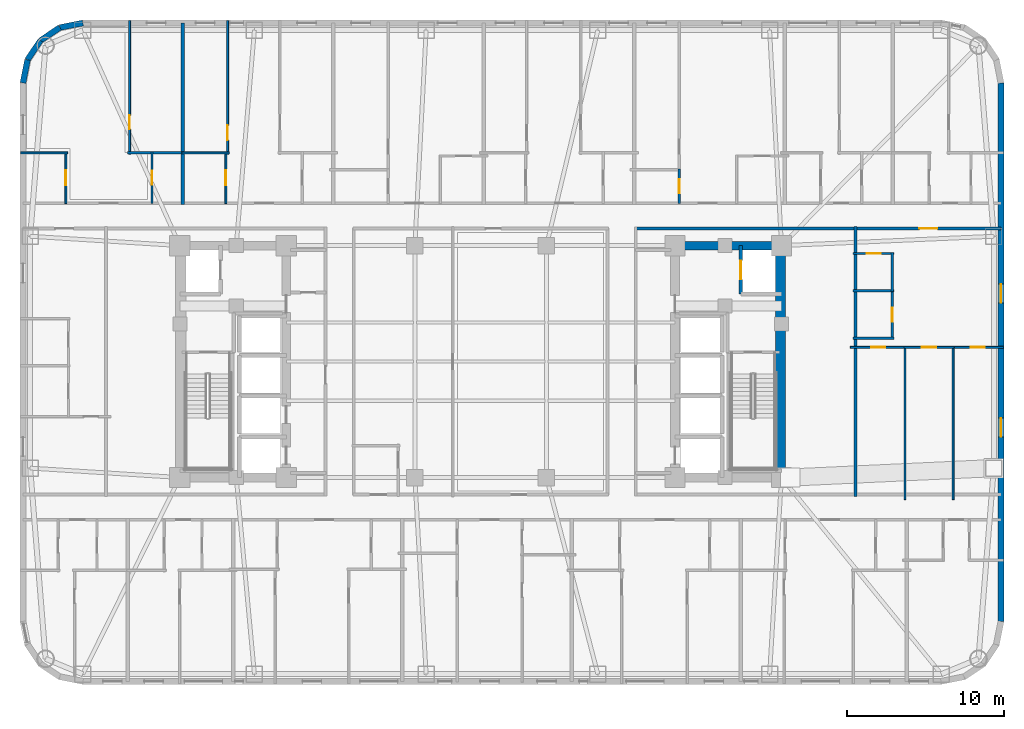
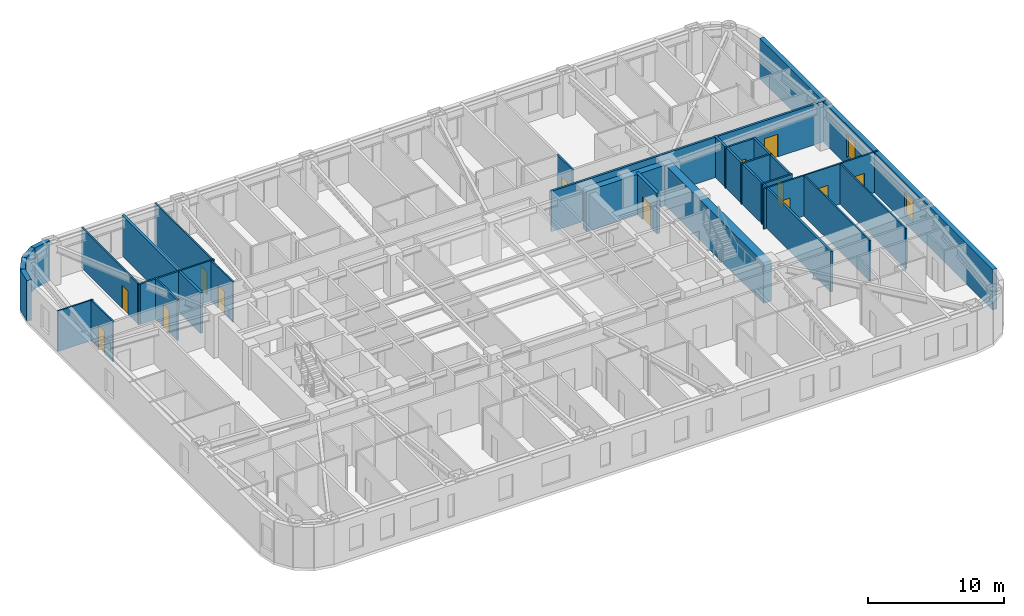
# One storey, part 7 of 12: 30 walls, 13 doors, 2 windows, 15 openings.
"""IFC4 building model written with IfcOpenShell, lengths in metres."""

from ifc_helpers import new_model, si_unit, direction, frame, frame_2d, origin, place, context, subcontext, project, spatial, rectangle, extrude, material, layer, layer_set, type_object, element, fill, save


model = new_model("IFC4")

# Units and contexts
model_context = context("Model", 3, precision=1e-05, world=origin(), true_north=direction((0.0, 1.0)))
body_context = subcontext(model_context, "Body", "Model", "MODEL_VIEW")
ifc_project = project(units=[si_unit("LENGTHUNIT", "METRE"), si_unit("AREAUNIT", "SQUARE_METRE"), si_unit("VOLUMEUNIT", "CUBIC_METRE"), si_unit("PLANEANGLEUNIT", "RADIAN"), si_unit("MASSUNIT", "GRAM", prefix="KILO")], contexts=[model_context])

# Site, building, storey
site_placement = place(None, origin())
site = spatial("IfcSite", under=ifc_project, at=site_placement, CompositionType="ELEMENT")
building_placement = place(site_placement, origin())
building = spatial("IfcBuilding", under=site, at=building_placement, Name="Voryun Gate Residences", CompositionType="ELEMENT")
storey_placement = place(building_placement, frame((0.0, 0.0, 101.39990234375)))
storey = spatial("IfcBuildingStorey", under=building, at=storey_placement, Name="L24", CompositionType="ELEMENT", Elevation=101.39990234375)

# Walls
ifc_material_1 = material(Name="Concrete C60/75", Category="concrete")
ifc_layer_1 = layer(ifc_material_1, 0.550048828125, Name="CW_CORE_550")
ifc_layer_set_1 = layer_set([ifc_layer_1], Name="Concrete C60/75")
wall_type_1 = type_object("IfcWallType", Name="CW_CORE_550", PredefinedType="SHEAR", material=ifc_layer_set_1)
wall_1_placement = place(storey_placement, frame((12.125, 7.39990234375, 0.0), z_axis=(0.0, 0.0, 1.0), x_axis=(1.0, 0.0, 0.0)))
element("IfcWall", 1, at=wall_1_placement, inside=storey, type_object=wall_type_1, Name="L24 Core shear wall CW-L24-EN", PredefinedType="SHEAR", context=body_context, shape_type="SweptSolid", body=[
    extrude(rectangle(XDim=7.35009765625, YDim=0.550048828125, at=frame_2d((3.675048828125, 0.0))), origin(), (0.0, 0.0, 1.0), 3.650146484375),
])
ifc_material_2 = material(Name="Concrete C60/75", Category="concrete")
ifc_layer_2 = layer(ifc_material_2, 0.64990234375, Name="CW_CORE_650")
ifc_layer_set_2 = layer_set([ifc_layer_2], Name="Concrete C60/75")
wall_type_2 = type_object("IfcWallType", Name="CW_CORE_650", PredefinedType="SHEAR", material=ifc_layer_set_2)
wall_2_placement = place(storey_placement, frame((19.14501953125, -7.39990234375, 0.0), z_axis=(0.0, 0.0, 1.0), x_axis=(0.0, 1.0, 0.0)))
element("IfcWall", 2, at=wall_2_placement, inside=storey, type_object=wall_type_2, Name="L24 Core shear wall CW-L24-EE", PredefinedType="SHEAR", context=body_context, shape_type="SweptSolid", body=[
    extrude(rectangle(XDim=14.7998046875, YDim=0.64990234375, at=frame_2d((7.39990234375, 0.0))), origin(), (0.0, 0.0, 1.0), 3.650146484375),
])

# Wall, opening, door
ifc_material_3 = material(Name="Gypsum acoustic fireboard")
ifc_layer_3 = layer(ifc_material_3, 0.179931640625, Name="W_CORR_RATED_180")
ifc_layer_set_3 = layer_set([ifc_layer_3], Name="Gypsum acoustic fireboard")
wall_type_3 = type_object("IfcWallType", Name="W_CORR_RATED_180", PredefinedType="PARTITIONING", material=ifc_layer_set_3)
wall_3_placement = place(storey_placement, frame((9.8798828125, 8.489990234375, 0.0), z_axis=(0.0, 0.0, 1.0), x_axis=(1.0, 0.0, 0.0)))
wall_3 = element("IfcWall", 3, at=wall_3_placement, inside=storey, type_object=wall_type_3, Name="Partition wall WP-L24-CWING-EN", PredefinedType="PARTITIONING", context=body_context, shape_type="SweptSolid", body=[
    extrude(rectangle(XDim=23.330078125, YDim=0.179931640625, at=frame_2d((11.6650390625, 0.0))), origin(), (0.0, 0.0, 1.0), 3.650146484375),
])
opening_1_placement = place(wall_3_placement, frame((18.11474609375, 0.0, 0.0)))
opening_1 = element("IfcOpeningElement", 4, at=opening_1_placement, cuts=wall_3, Name="Opening D-UNIT-1", PredefinedType="OPENING", context=body_context, shape_type="SweptSolid", body=[
    extrude(rectangle(XDim=1.14990234375, YDim=2.050048828125, at=frame_2d((0.574951171875, 1.02490234375))), frame((0.0, 0.099853515625, 0.0), z_axis=(0.0, -1.0, 0.0), x_axis=(1.0, 0.0, 0.0)), (0.0, 0.0, 1.0), 0.199951171875),
])
ifc_material_4 = material(Name="Armoured timber-clad fire door", Category="wood")
door_type_1 = type_object("IfcDoorType", Name="DR_UNIT_ENTRY_1150", OperationType="NOTDEFINED", PredefinedType="DOOR", material=ifc_material_4)
door_1_placement = place(opening_1_placement, origin())
door_1 = element("IfcDoor", 5, at=door_1_placement, inside=storey, type_object=door_type_1, Name="Door DR-L24-EE1N", OperationType="SINGLE_SWING_LEFT", OverallHeight=2.050048828125, OverallWidth=1.14990234375, PredefinedType="DOOR", context=body_context, shape_type="SweptSolid", body=[
    extrude(rectangle(XDim=1.14990234375, YDim=2.050048828125, at=frame_2d((0.574951171875, 1.02490234375))), frame((0.0, 0.02490234375, 0.0), z_axis=(0.0, -1.0, 0.0), x_axis=(1.0, 0.0, 0.0)), (0.0, 0.0, 1.0), 0.050048828125),
])
fill(opening_1, door_1)

# Walls
wall_4_placement = place(storey_placement, frame((23.919921875, -8.610107421875, 0.0), z_axis=(0.0, 0.0, 1.0), x_axis=(0.0, 1.0, 0.0)))
element("IfcWall", 6, at=wall_4_placement, inside=storey, type_object=wall_type_3, Name="Partition wall WP-L24-ECOR", PredefinedType="PARTITIONING", context=body_context, shape_type="SweptSolid", body=[
    extrude(rectangle(XDim=17.22021484375, YDim=0.179931640625, at=frame_2d((8.610107421875, 0.0))), origin(), (0.0, 0.0, 1.0), 3.650146484375),
])
ifc_material_5 = material(Name="Granite masonry", Category="masonry")
ifc_layer_4 = layer(ifc_material_5, 0.3798828125, Name="W_EXT_GRANITE_380")
ifc_layer_set_4 = layer_set([ifc_layer_4], Name="Granite masonry")
wall_type_4 = type_object("IfcWallType", Name="W_EXT_GRANITE_380", PredefinedType="ELEMENTEDWALL", material=ifc_layer_set_4)
wall_5_placement = place(storey_placement, frame((-29.2099609375, 17.78125, 0.0), z_axis=(0.0, 0.0, 1.0), x_axis=(0.195086038585, 0.980786132421, 0.0)))
element("IfcWall", 7, at=wall_5_placement, inside=storey, type_object=wall_type_4, Name="Exterior wall WEXT-L24-07", PredefinedType="ELEMENTEDWALL", context=body_context, shape_type="SweptSolid", body=[
    extrude(rectangle(XDim=1.504150390625, YDim=0.3798828125, at=frame_2d((0.751953125, 0.0))), origin(), (0.0, 0.0, 1.0), 3.650146484375),
])
wall_6_placement = place(storey_placement, frame((-28.91650390625, 19.256591796875, 0.0), z_axis=(0.0, 0.0, 1.0), x_axis=(0.555610286119, 0.831442848281, 0.0)))
element("IfcWall", 8, at=wall_6_placement, inside=storey, type_object=wall_type_4, Name="Exterior wall WEXT-L24-08", PredefinedType="ELEMENTEDWALL", context=body_context, shape_type="SweptSolid", body=[
    extrude(rectangle(XDim=1.485107421875, YDim=0.3798828125, at=frame_2d((0.74267578125, 0.0))), origin(), (0.0, 0.0, 1.0), 3.650146484375),
])
wall_7_placement = place(storey_placement, frame((-28.09130859375, 20.491455078125, 0.0), z_axis=(0.0, 0.0, 1.0), x_axis=(0.831468045563, 0.555572577804, 0.0)))
element("IfcWall", 9, at=wall_7_placement, inside=storey, type_object=wall_type_4, Name="Exterior wall WEXT-L24-09", PredefinedType="ELEMENTEDWALL", context=body_context, shape_type="SweptSolid", body=[
    extrude(rectangle(XDim=1.48486328125, YDim=0.3798828125, at=frame_2d((0.742431640625, 0.0))), origin(), (0.0, 0.0, 1.0), 3.650146484375),
])
wall_8_placement = place(storey_placement, frame((-26.856689453125, 21.31640625, 0.0), z_axis=(0.0, 0.0, 1.0), x_axis=(0.980755066645, 0.195242155415, 0.0)))
element("IfcWall", 10, at=wall_8_placement, inside=storey, type_object=wall_type_4, Name="Exterior wall WEXT-L24-10", PredefinedType="ELEMENTEDWALL", context=body_context, shape_type="SweptSolid", body=[
    extrude(rectangle(XDim=1.50439453125, YDim=0.3798828125, at=frame_2d((0.752197265625, 0.0))), origin(), (0.0, 0.0, 1.0), 3.650146484375),
])

# Wall, openings, windows
wall_9_placement = place(storey_placement, frame((33.2099609375, 17.78125, 0.0), z_axis=(0.0, 0.0, 1.0), x_axis=(0.0, -1.0, 0.0)))
wall_9 = element("IfcWall", 11, at=wall_9_placement, inside=storey, type_object=wall_type_4, Name="Exterior wall WEXT-L24-16", PredefinedType="ELEMENTEDWALL", context=body_context, shape_type="SweptSolid", body=[
    extrude(rectangle(XDim=34.362548828125, YDim=0.3798828125, at=frame_2d((17.18115234375, 0.0))), origin(), (0.0, 0.0, 1.0), 3.650146484375),
])
opening_2_placement = place(wall_9_placement, frame((12.836181640625, 0.0, 0.75)))
opening_2 = element("IfcOpeningElement", 12, at=opening_2_placement, cuts=wall_9, Name="Opening WN6", PredefinedType="OPENING", context=body_context, shape_type="SweptSolid", body=[
    extrude(rectangle(XDim=1.199951171875, YDim=2.050048828125, at=frame_2d((0.60009765625, 1.02490234375))), frame((0.0, 0.199951171875, 0.0), z_axis=(0.0, -1.0, 0.0), x_axis=(1.0, 0.0, 0.0)), (0.0, 0.0, 1.0), 0.39990234375),
])
opening_3_placement = place(wall_9_placement, frame((21.38623046875, 0.0, 0.75)))
opening_3 = element("IfcOpeningElement", 13, at=opening_3_placement, cuts=wall_9, Name="Opening WN6", PredefinedType="OPENING", context=body_context, shape_type="SweptSolid", body=[
    extrude(rectangle(XDim=1.199951171875, YDim=2.050048828125, at=frame_2d((0.60009765625, 1.02490234375))), frame((0.0, 0.199951171875, 0.0), z_axis=(0.0, -1.0, 0.0), x_axis=(1.0, 0.0, 0.0)), (0.0, 0.0, 1.0), 0.39990234375),
])
ifc_material_6 = material(Name="Laminated low-E glass", Category="glass")
window_type = type_object("IfcWindowType", Name="WN_POD_SLOT_1200", PartitioningType="SINGLE_PANEL", PredefinedType="WINDOW", material=ifc_material_6)
window_1_placement = place(opening_2_placement, origin())
window_1 = element("IfcWindow", 14, at=window_1_placement, inside=storey, type_object=window_type, Name="Window WN-L24-DWFIX-31", OverallHeight=2.050048828125, OverallWidth=1.199951171875, PartitioningType="SINGLE_PANEL", PredefinedType="WINDOW", context=body_context, shape_type="SweptSolid", body=[
    extrude(rectangle(XDim=1.199951171875, YDim=2.050048828125, at=frame_2d((0.60009765625, 1.02490234375))), frame((0.0, 0.030029296875, 0.0), z_axis=(0.0, -1.0, 0.0), x_axis=(1.0, 0.0, 0.0)), (0.0, 0.0, 1.0), 0.06005859375),
])
fill(opening_2, window_1)
window_2_placement = place(opening_3_placement, origin())
window_2 = element("IfcWindow", 15, at=window_2_placement, inside=storey, type_object=window_type, Name="Window WN-L24-DWFIX-32", OverallHeight=2.050048828125, OverallWidth=1.199951171875, PartitioningType="SINGLE_PANEL", PredefinedType="WINDOW", context=body_context, shape_type="SweptSolid", body=[
    extrude(rectangle(XDim=1.199951171875, YDim=2.050048828125, at=frame_2d((0.60009765625, 1.02490234375))), frame((0.0, 0.030029296875, 0.0), z_axis=(0.0, -1.0, 0.0), x_axis=(1.0, 0.0, 0.0)), (0.0, 0.0, 1.0), 0.06005859375),
])
fill(opening_3, window_2)

# Wall
ifc_material_7 = material(Name="Concrete C40/50", Category="concrete")
ifc_layer_5 = layer(ifc_material_7, 0.219970703125, Name="W_PARTY_ACOUSTIC_220")
ifc_layer_set_5 = layer_set([ifc_layer_5], Name="Concrete C40/50")
wall_type_5 = type_object("IfcWallType", Name="W_PARTY_ACOUSTIC_220", PredefinedType="PARTITIONING", material=ifc_layer_set_5)
wall_10_placement = place(storey_placement, frame((-19.0, 10.02001953125, 0.0), z_axis=(0.0, 0.0, 1.0), x_axis=(0.0, 1.0, 0.0)))
element("IfcWall", 16, at=wall_10_placement, inside=storey, type_object=wall_type_5, Name="Partition wall WP-L24-NPTY-1", PredefinedType="PARTITIONING", context=body_context, shape_type="SweptSolid", body=[
    extrude(rectangle(XDim=11.590087890625, YDim=0.219970703125, at=frame_2d((5.794921875, 0.0))), origin(), (0.0, 0.0, 1.0), 3.650146484375),
])

# Wall, opening, door
ifc_material_8 = material(Name="Concrete C50/60", Category="concrete")
ifc_layer_6 = layer(ifc_material_8, 0.25, Name="W_SHAFT_RC250")
ifc_layer_set_6 = layer_set([ifc_layer_6], Name="Concrete C50/60")
wall_type_6 = type_object("IfcWallType", Name="W_SHAFT_RC250", PredefinedType="SOLIDWALL", material=ifc_layer_set_6)
wall_11_placement = place(storey_placement, frame((16.60009765625, 7.39990234375, 0.0), z_axis=(0.0, 0.0, 1.0), x_axis=(0.0, -1.0, 0.0)))
wall_11 = element("IfcWall", 17, at=wall_11_placement, inside=storey, type_object=wall_type_6, Name="Lift shaft wall WSH-L24-EL-FF-E1-W", PredefinedType="SOLIDWALL", context=body_context, shape_type="SweptSolid", body=[
    extrude(rectangle(XDim=3.099853515625, YDim=0.25, at=frame_2d((1.5498046875, 0.0))), origin(), (0.0, 0.0, 1.0), 3.650146484375),
])
opening_4_placement = place(wall_11_placement, frame((0.949951171875, 0.0, 0.0)))
opening_4 = element("IfcOpeningElement", 18, at=opening_4_placement, cuts=wall_11, Name="Opening LD1", PredefinedType="OPENING", context=body_context, shape_type="SweptSolid", body=[
    extrude(rectangle(XDim=1.199951171875, YDim=2.050048828125, at=frame_2d((0.60009765625, 1.02490234375))), frame((0.0, 0.135009765625, 0.0), z_axis=(0.0, -1.0, 0.0), x_axis=(1.0, 0.0, 0.0)), (0.0, 0.0, 1.0), 0.27001953125),
])
ifc_material_9 = material(Name="Anodised aluminium", Category="aluminium")
door_type_2 = type_object("IfcDoorType", Name="DR_LD_FF_1200", OperationType="NOTDEFINED", PredefinedType="DOOR", material=ifc_material_9)
door_2_placement = place(opening_4_placement, origin())
door_2 = element("IfcDoor", 19, at=door_2_placement, inside=storey, type_object=door_type_2, Name="Lift EL-FF-E1 sliding landing door L24", OperationType="SLIDING_TO_LEFT", OverallHeight=2.050048828125, OverallWidth=1.199951171875, PredefinedType="DOOR", context=body_context, shape_type="SweptSolid", body=[
    extrude(rectangle(XDim=1.199951171875, YDim=2.050048828125, at=frame_2d((0.60009765625, 1.02490234375))), frame((0.0, 0.02490234375, 0.0), z_axis=(0.0, -1.0, 0.0), x_axis=(1.0, 0.0, 0.0)), (0.0, 0.0, 1.0), 0.050048828125),
])
fill(opening_4, door_2)

ifc_material_10 = material(Name="Gypsum acoustic partition")
ifc_layer_7 = layer(ifc_material_10, 0.125, Name="W_UNIT_PART_125")
ifc_layer_set_7 = layer_set([ifc_layer_7], Name="Gypsum acoustic partition")
wall_type_7 = type_object("IfcWallType", Name="W_UNIT_PART_125", PredefinedType="PARTITIONING", material=ifc_layer_set_7)
wall_12_placement = place(storey_placement, frame((-22.409912109375, 13.239990234375, 0.0), z_axis=(0.0, 0.0, 1.0), x_axis=(0.0, 1.0, 0.0)))
wall_12 = element("IfcWall", 20, at=wall_12_placement, inside=storey, type_object=wall_type_7, Name="Partition wall WP-L24-N1-OVR", PredefinedType="PARTITIONING", context=body_context, shape_type="SweptSolid", body=[
    extrude(rectangle(XDim=8.52001953125, YDim=0.125, at=frame_2d((4.260009765625, 0.0))), origin(), (0.0, 0.0, 1.0), 3.650146484375),
])
opening_5_placement = place(wall_12_placement, frame((1.5947265625, 0.0, 0.0)))
opening_5 = element("IfcOpeningElement", 21, at=opening_5_placement, cuts=wall_12, Name="Opening D-INT-2", PredefinedType="OPENING", context=body_context, shape_type="SweptSolid", body=[
    extrude(rectangle(XDim=0.89990234375, YDim=2.050048828125, at=frame_2d((0.449951171875, 1.02490234375))), frame((0.0, 0.072509765625, 0.0), z_axis=(0.0, -1.0, 0.0), x_axis=(1.0, 0.0, 0.0)), (0.0, 0.0, 1.0), 0.14501953125),
])
ifc_material_11 = material(Name="Architectural oak veneer")
door_type_3 = type_object("IfcDoorType", Name="DR_INT_BATH_900", OperationType="NOTDEFINED", PredefinedType="DOOR", material=ifc_material_11)
door_3_placement = place(opening_5_placement, origin())
door_3 = element("IfcDoor", 22, at=door_3_placement, inside=storey, type_object=door_type_3, Name="Door DR-L24-N1-DMB", OperationType="SINGLE_SWING_RIGHT", OverallHeight=2.050048828125, OverallWidth=0.89990234375, PredefinedType="DOOR", context=body_context, shape_type="SweptSolid", body=[
    extrude(rectangle(XDim=0.89990234375, YDim=2.050048828125, at=frame_2d((0.449951171875, 1.02490234375))), frame((0.0, 0.02490234375, 0.0), z_axis=(0.0, -1.0, 0.0), x_axis=(1.0, 0.0, 0.0)), (0.0, 0.0, 1.0), 0.050048828125),
])
fill(opening_5, door_3)

wall_13_placement = place(storey_placement, frame((-26.47509765625, 10.080078125, 0.0), z_axis=(0.0, 0.0, 1.0), x_axis=(0.0, 1.0, 0.0)))
wall_13 = element("IfcWall", 23, at=wall_13_placement, inside=storey, type_object=wall_type_7, Name="Partition wall WP-L24-N1-IVK", PredefinedType="PARTITIONING", context=body_context, shape_type="SweptSolid", body=[
    extrude(rectangle(XDim=3.31982421875, YDim=0.125, at=frame_2d((1.659912109375, 0.0))), origin(), (0.0, 0.0, 1.0), 3.650146484375),
])
opening_6_placement = place(wall_13_placement, frame((1.18505859375, 0.0, 0.0)))
opening_6 = element("IfcOpeningElement", 24, at=opening_6_placement, cuts=wall_13, Name="Opening D-INT-1", PredefinedType="OPENING", context=body_context, shape_type="SweptSolid", body=[
    extrude(rectangle(XDim=0.949951171875, YDim=2.050048828125, at=frame_2d((0.47509765625, 1.02490234375))), frame((0.0, 0.072509765625, 0.0), z_axis=(0.0, -1.0, 0.0), x_axis=(1.0, 0.0, 0.0)), (0.0, 0.0, 1.0), 0.14501953125),
])
ifc_material_12 = material(Name="Architectural oak veneer")
door_type_4 = type_object("IfcDoorType", Name="DR_INT_ROOM_950", OperationType="NOTDEFINED", PredefinedType="DOOR", material=ifc_material_12)
door_4_placement = place(opening_6_placement, origin())
door_4 = element("IfcDoor", 25, at=door_4_placement, inside=storey, type_object=door_type_4, Name="Door DR-L24-N1-DK", OperationType="SINGLE_SWING_LEFT", OverallHeight=2.050048828125, OverallWidth=0.949951171875, PredefinedType="DOOR", context=body_context, shape_type="SweptSolid", body=[
    extrude(rectangle(XDim=0.949951171875, YDim=2.050048828125, at=frame_2d((0.47509765625, 1.02490234375))), frame((0.0, 0.02490234375, 0.0), z_axis=(0.0, -1.0, 0.0), x_axis=(1.0, 0.0, 0.0)), (0.0, 0.0, 1.0), 0.050048828125),
])
fill(opening_6, door_4)

# Wall
wall_14_placement = place(storey_placement, frame((-29.360107421875, 13.320068359375, 0.0), z_axis=(0.0, 0.0, 1.0), x_axis=(1.0, 0.0, 0.0)))
element("IfcWall", 26, at=wall_14_placement, inside=storey, type_object=wall_type_7, Name="Partition wall WP-L24-N1-HZK", PredefinedType="PARTITIONING", context=body_context, shape_type="SweptSolid", body=[
    extrude(rectangle(XDim=3.005126953125, YDim=0.125, at=frame_2d((1.50244140625, 0.0))), origin(), (0.0, 0.0, 1.0), 3.650146484375),
])

# Wall, opening, door
wall_15_placement = place(storey_placement, frame((-16.153076171875, 13.239990234375, 0.0), z_axis=(0.0, 0.0, 1.0), x_axis=(0.0, 1.0, 0.0)))
wall_15 = element("IfcWall", 27, at=wall_15_placement, inside=storey, type_object=wall_type_7, Name="Partition wall WP-L24-N2-OVL", PredefinedType="PARTITIONING", context=body_context, shape_type="SweptSolid", body=[
    extrude(rectangle(XDim=8.52001953125, YDim=0.125, at=frame_2d((4.260009765625, 0.0))), origin(), (0.0, 0.0, 1.0), 3.650146484375),
])
opening_7_placement = place(wall_15_placement, frame((0.88818359375, 0.0, 0.0)))
opening_7 = element("IfcOpeningElement", 28, at=opening_7_placement, cuts=wall_15, Name="Opening D-INT-1", PredefinedType="OPENING", context=body_context, shape_type="SweptSolid", body=[
    extrude(rectangle(XDim=0.949951171875, YDim=2.050048828125, at=frame_2d((0.47509765625, 1.02490234375))), frame((0.0, 0.072509765625, 0.0), z_axis=(0.0, -1.0, 0.0), x_axis=(1.0, 0.0, 0.0)), (0.0, 0.0, 1.0), 0.14501953125),
])
door_5_placement = place(opening_7_placement, origin())
door_5 = element("IfcDoor", 29, at=door_5_placement, inside=storey, type_object=door_type_4, Name="Door DR-L24-N2-DB2", OperationType="SINGLE_SWING_LEFT", OverallHeight=2.050048828125, OverallWidth=0.949951171875, PredefinedType="DOOR", context=body_context, shape_type="SweptSolid", body=[
    extrude(rectangle(XDim=0.949951171875, YDim=2.050048828125, at=frame_2d((0.47509765625, 1.02490234375))), frame((0.0, 0.02490234375, 0.0), z_axis=(0.0, -1.0, 0.0), x_axis=(1.0, 0.0, 0.0)), (0.0, 0.0, 1.0), 0.050048828125),
])
fill(opening_7, door_5)

wall_16_placement = place(storey_placement, frame((-16.26708984375, 10.080078125, 0.0), z_axis=(0.0, 0.0, 1.0), x_axis=(0.0, 1.0, 0.0)))
wall_16 = element("IfcWall", 30, at=wall_16_placement, inside=storey, type_object=wall_type_7, Name="Partition wall WP-L24-N2-IVK", PredefinedType="PARTITIONING", context=body_context, shape_type="SweptSolid", body=[
    extrude(rectangle(XDim=3.31982421875, YDim=0.125, at=frame_2d((1.659912109375, 0.0))), origin(), (0.0, 0.0, 1.0), 3.650146484375),
])
opening_8_placement = place(wall_16_placement, frame((1.18505859375, 0.0, 0.0)))
opening_8 = element("IfcOpeningElement", 31, at=opening_8_placement, cuts=wall_16, Name="Opening D-INT-1", PredefinedType="OPENING", context=body_context, shape_type="SweptSolid", body=[
    extrude(rectangle(XDim=0.949951171875, YDim=2.050048828125, at=frame_2d((0.47509765625, 1.02490234375))), frame((0.0, 0.072509765625, 0.0), z_axis=(0.0, -1.0, 0.0), x_axis=(1.0, 0.0, 0.0)), (0.0, 0.0, 1.0), 0.14501953125),
])
door_6_placement = place(opening_8_placement, origin())
door_6 = element("IfcDoor", 32, at=door_6_placement, inside=storey, type_object=door_type_4, Name="Door DR-L24-N2-DK", OperationType="SINGLE_SWING_LEFT", OverallHeight=2.050048828125, OverallWidth=0.949951171875, PredefinedType="DOOR", context=body_context, shape_type="SweptSolid", body=[
    extrude(rectangle(XDim=0.949951171875, YDim=2.050048828125, at=frame_2d((0.47509765625, 1.02490234375))), frame((0.0, 0.02490234375, 0.0), z_axis=(0.0, -1.0, 0.0), x_axis=(1.0, 0.0, 0.0)), (0.0, 0.0, 1.0), 0.050048828125),
])
fill(opening_8, door_6)

# Wall
wall_17_placement = place(storey_placement, frame((-19.074951171875, 13.320068359375, 0.0), z_axis=(0.0, 0.0, 1.0), x_axis=(1.0, 0.0, 0.0)))
element("IfcWall", 33, at=wall_17_placement, inside=storey, type_object=wall_type_7, Name="Partition wall WP-L24-N2-HZK", PredefinedType="PARTITIONING", context=body_context, shape_type="SweptSolid", body=[
    extrude(rectangle(XDim=3.0419921875, YDim=0.125, at=frame_2d((1.52099609375, 0.0))), origin(), (0.0, 0.0, 1.0), 3.650146484375),
])

# Wall, opening, door
wall_18_placement = place(storey_placement, frame((23.60009765625, 0.909912109375, 0.0), z_axis=(0.0, 0.0, 1.0), x_axis=(1.0, 0.0, 0.0)))
wall_18 = element("IfcWall", 34, at=wall_18_placement, inside=storey, type_object=wall_type_7, Name="Partition wall WP-L24-E1-HZMB1", PredefinedType="PARTITIONING", context=body_context, shape_type="SweptSolid", body=[
    extrude(rectangle(XDim=3.54345703125, YDim=0.125, at=frame_2d((1.771728515625, 0.0))), origin(), (0.0, 0.0, 1.0), 3.650146484375),
])
opening_9_placement = place(wall_18_placement, frame((1.33056640625, 0.0, 0.0)))
opening_9 = element("IfcOpeningElement", 35, at=opening_9_placement, cuts=wall_18, Name="Opening D-INT-2", PredefinedType="OPENING", context=body_context, shape_type="SweptSolid", body=[
    extrude(rectangle(XDim=0.89990234375, YDim=2.050048828125, at=frame_2d((0.449951171875, 1.02490234375))), frame((0.0, 0.072509765625, 0.0), z_axis=(0.0, -1.0, 0.0), x_axis=(1.0, 0.0, 0.0)), (0.0, 0.0, 1.0), 0.14501953125),
])
door_7_placement = place(opening_9_placement, origin())
door_7 = element("IfcDoor", 36, at=door_7_placement, inside=storey, type_object=door_type_3, Name="Door DR-L24-E1-DMB", OperationType="SINGLE_SWING_LEFT", OverallHeight=2.050048828125, OverallWidth=0.89990234375, PredefinedType="DOOR", context=body_context, shape_type="SweptSolid", body=[
    extrude(rectangle(XDim=0.89990234375, YDim=2.050048828125, at=frame_2d((0.449951171875, 1.02490234375))), frame((0.0, 0.02490234375, 0.0), z_axis=(0.0, -1.0, 0.0), x_axis=(1.0, 0.0, 0.0)), (0.0, 0.0, 1.0), 0.050048828125),
])
fill(opening_9, door_7)

wall_19_placement = place(storey_placement, frame((27.0185546875, 0.909912109375, 0.0), z_axis=(0.0, 0.0, 1.0), x_axis=(1.0, 0.0, 0.0)))
wall_19 = element("IfcWall", 37, at=wall_19_placement, inside=storey, type_object=wall_type_7, Name="Partition wall WP-L24-E1-HZMB2", PredefinedType="PARTITIONING", context=body_context, shape_type="SweptSolid", body=[
    extrude(rectangle(XDim=3.19287109375, YDim=0.125, at=frame_2d((1.596435546875, 0.0))), origin(), (0.0, 0.0, 1.0), 3.650146484375),
])
opening_10_placement = place(wall_19_placement, frame((1.146484375, 0.0, 0.0)))
opening_10 = element("IfcOpeningElement", 38, at=opening_10_placement, cuts=wall_19, Name="Opening D-INT-2", PredefinedType="OPENING", context=body_context, shape_type="SweptSolid", body=[
    extrude(rectangle(XDim=0.89990234375, YDim=2.050048828125, at=frame_2d((0.449951171875, 1.02490234375))), frame((0.0, 0.072509765625, 0.0), z_axis=(0.0, -1.0, 0.0), x_axis=(1.0, 0.0, 0.0)), (0.0, 0.0, 1.0), 0.14501953125),
])
door_8_placement = place(opening_10_placement, origin())
door_8 = element("IfcDoor", 39, at=door_8_placement, inside=storey, type_object=door_type_3, Name="Door DR-L24-E1-DBD2", OperationType="SINGLE_SWING_RIGHT", OverallHeight=2.050048828125, OverallWidth=0.89990234375, PredefinedType="DOOR", context=body_context, shape_type="SweptSolid", body=[
    extrude(rectangle(XDim=0.89990234375, YDim=2.050048828125, at=frame_2d((0.449951171875, 1.02490234375))), frame((0.0, 0.02490234375, 0.0), z_axis=(0.0, -1.0, 0.0), x_axis=(1.0, 0.0, 0.0)), (0.0, 0.0, 1.0), 0.050048828125),
])
fill(opening_10, door_8)

wall_20_placement = place(storey_placement, frame((30.08642578125, 0.909912109375, 0.0), z_axis=(0.0, 0.0, 1.0), x_axis=(1.0, 0.0, 0.0)))
wall_20 = element("IfcWall", 40, at=wall_20_placement, inside=storey, type_object=wall_type_7, Name="Partition wall WP-L24-E1-HZMB3", PredefinedType="PARTITIONING", context=body_context, shape_type="SweptSolid", body=[
    extrude(rectangle(XDim=3.273681640625, YDim=0.125, at=frame_2d((1.63671875, 0.0))), origin(), (0.0, 0.0, 1.0), 3.650146484375),
])
opening_11_placement = place(wall_20_placement, frame((1.177978515625, 0.0, 0.0)))
opening_11 = element("IfcOpeningElement", 41, at=opening_11_placement, cuts=wall_20, Name="Opening D-INT-2", PredefinedType="OPENING", context=body_context, shape_type="SweptSolid", body=[
    extrude(rectangle(XDim=0.89990234375, YDim=2.050048828125, at=frame_2d((0.449951171875, 1.02490234375))), frame((0.0, 0.072509765625, 0.0), z_axis=(0.0, -1.0, 0.0), x_axis=(1.0, 0.0, 0.0)), (0.0, 0.0, 1.0), 0.14501953125),
])
door_9_placement = place(opening_11_placement, origin())
door_9 = element("IfcDoor", 42, at=door_9_placement, inside=storey, type_object=door_type_3, Name="Door DR-L24-E1-DBD3", OperationType="SINGLE_SWING_LEFT", OverallHeight=2.050048828125, OverallWidth=0.89990234375, PredefinedType="DOOR", context=body_context, shape_type="SweptSolid", body=[
    extrude(rectangle(XDim=0.89990234375, YDim=2.050048828125, at=frame_2d((0.449951171875, 1.02490234375))), frame((0.0, 0.02490234375, 0.0), z_axis=(0.0, -1.0, 0.0), x_axis=(1.0, 0.0, 0.0)), (0.0, 0.0, 1.0), 0.050048828125),
])
fill(opening_11, door_9)

# Walls
for number, where, z_axis, x_axis, name in (
    (43, (30.14892578125, -8.81005859375, 0.0), (0.0, 0.0, 1.0), (0.0, 1.0, 0.0), "Partition wall WP-L24-E1-VMB2"),
    (44, (27.0810546875, -8.81005859375, 0.0), (0.0, 0.0, 1.0), (0.0, 1.0, 0.0), "Partition wall WP-L24-E1-VMB"),
):
    element("IfcWall", number, at=place(storey_placement, frame(where, z_axis=z_axis, x_axis=x_axis)), inside=storey, type_object=wall_type_7, Name=name, PredefinedType="PARTITIONING", context=body_context, shape_type="SweptSolid", body=[
        extrude(rectangle(XDim=9.780029296875, YDim=0.125, at=frame_2d((4.89013671875, 0.0))), origin(), (0.0, 0.0, 1.0), 3.650146484375),
    ])
ifc_material_13 = material(Name="Gypsum moisture-resistant partition")
ifc_layer_8 = layer(ifc_material_13, 0.14990234375, Name="W_WET_PLUMB_150")
ifc_layer_set_8 = layer_set([ifc_layer_8], Name="Gypsum moisture-resistant partition")
wall_type_8 = type_object("IfcWallType", Name="W_WET_PLUMB_150", PredefinedType="PLUMBINGWALL", material=ifc_layer_set_8)
wall_21_placement = place(storey_placement, frame((-22.530029296875, 13.320068359375, 0.0), z_axis=(0.0, 0.0, 1.0), x_axis=(1.0, 0.0, 0.0)))
element("IfcWall", 45, at=wall_21_placement, inside=storey, type_object=wall_type_8, Name="Partition wall WP-L24-N1-HZB", PredefinedType="PLUMBINGWALL", context=body_context, shape_type="SweptSolid", body=[
    extrude(rectangle(XDim=3.60498046875, YDim=0.14990234375, at=frame_2d((1.802490234375, 0.0))), origin(), (0.0, 0.0, 1.0), 3.650146484375),
])

# Wall, opening, door
wall_22_placement = place(storey_placement, frame((-20.97998046875, 10.080078125, 0.0), z_axis=(0.0, 0.0, 1.0), x_axis=(0.0, 1.0, 0.0)))
wall_22 = element("IfcWall", 46, at=wall_22_placement, inside=storey, type_object=wall_type_8, Name="Partition wall WP-L24-N1-IVB", PredefinedType="PLUMBINGWALL", context=body_context, shape_type="SweptSolid", body=[
    extrude(rectangle(XDim=3.31982421875, YDim=0.14990234375, at=frame_2d((1.659912109375, 0.0))), origin(), (0.0, 0.0, 1.0), 3.650146484375),
])
opening_12_placement = place(wall_22_placement, frame((1.2099609375, 0.0, 0.0)))
opening_12 = element("IfcOpeningElement", 47, at=opening_12_placement, cuts=wall_22, Name="Opening D-INT-2", PredefinedType="OPENING", context=body_context, shape_type="SweptSolid", body=[
    extrude(rectangle(XDim=0.89990234375, YDim=2.050048828125, at=frame_2d((0.449951171875, 1.02490234375))), frame((0.0, 0.0849609375, 0.0), z_axis=(0.0, -1.0, 0.0), x_axis=(1.0, 0.0, 0.0)), (0.0, 0.0, 1.0), 0.169921875),
])
door_10_placement = place(opening_12_placement, origin())
door_10 = element("IfcDoor", 48, at=door_10_placement, inside=storey, type_object=door_type_3, Name="Door DR-L24-N1-DB", OperationType="SINGLE_SWING_RIGHT", OverallHeight=2.050048828125, OverallWidth=0.89990234375, PredefinedType="DOOR", context=body_context, shape_type="SweptSolid", body=[
    extrude(rectangle(XDim=0.89990234375, YDim=2.050048828125, at=frame_2d((0.449951171875, 1.02490234375))), frame((0.0, 0.02490234375, 0.0), z_axis=(0.0, -1.0, 0.0), x_axis=(1.0, 0.0, 0.0)), (0.0, 0.0, 1.0), 0.050048828125),
])
fill(opening_12, door_10)

wall_23_placement = place(storey_placement, frame((12.666015625, 10.080078125, 0.0), z_axis=(0.0, 0.0, 1.0), x_axis=(0.0, 1.0, 0.0)))
wall_23 = element("IfcWall", 49, at=wall_23_placement, inside=storey, type_object=wall_type_8, Name="Partition wall WP-L24-N5-LVX1", PredefinedType="PLUMBINGWALL", context=body_context, shape_type="SweptSolid", body=[
    extrude(rectangle(XDim=2.199951171875, YDim=0.14990234375, at=frame_2d((1.10009765625, 0.0))), origin(), (0.0, 0.0, 1.0), 3.650146484375),
])
opening_13_placement = place(wall_23_placement, frame((0.64990234375, 0.0, 0.0)))
opening_13 = element("IfcOpeningElement", 50, at=opening_13_placement, cuts=wall_23, Name="Opening D-INT-2", PredefinedType="OPENING", context=body_context, shape_type="SweptSolid", body=[
    extrude(rectangle(XDim=0.89990234375, YDim=2.050048828125, at=frame_2d((0.449951171875, 1.02490234375))), frame((0.0, 0.0849609375, 0.0), z_axis=(0.0, -1.0, 0.0), x_axis=(1.0, 0.0, 0.0)), (0.0, 0.0, 1.0), 0.169921875),
])
door_11_placement = place(opening_13_placement, origin())
door_11 = element("IfcDoor", 51, at=door_11_placement, inside=storey, type_object=door_type_3, Name="Door DR-L24-N5-DB", OperationType="SINGLE_SWING_LEFT", OverallHeight=2.050048828125, OverallWidth=0.89990234375, PredefinedType="DOOR", context=body_context, shape_type="SweptSolid", body=[
    extrude(rectangle(XDim=0.89990234375, YDim=2.050048828125, at=frame_2d((0.449951171875, 1.02490234375))), frame((0.0, 0.02490234375, 0.0), z_axis=(0.0, -1.0, 0.0), x_axis=(1.0, 0.0, 0.0)), (0.0, 0.0, 1.0), 0.050048828125),
])
fill(opening_13, door_11)

wall_24_placement = place(storey_placement, frame((23.77001953125, 6.89990234375, 0.0), z_axis=(0.0, 0.0, 1.0), x_axis=(1.0, 0.0, 0.0)))
wall_24 = element("IfcWall", 52, at=wall_24_placement, inside=storey, type_object=wall_type_8, Name="Partition wall WP-L24-E1-IBT", PredefinedType="PLUMBINGWALL", context=body_context, shape_type="SweptSolid", body=[
    extrude(rectangle(XDim=2.619873046875, YDim=0.14990234375, at=frame_2d((1.31005859375, 0.0))), origin(), (0.0, 0.0, 1.0), 3.650146484375),
])
opening_14_placement = place(wall_24_placement, frame((0.860107421875, 0.0, 0.0)))
opening_14 = element("IfcOpeningElement", 53, at=opening_14_placement, cuts=wall_24, Name="Opening D-INT-2", PredefinedType="OPENING", context=body_context, shape_type="SweptSolid", body=[
    extrude(rectangle(XDim=0.89990234375, YDim=2.050048828125, at=frame_2d((0.449951171875, 1.02490234375))), frame((0.0, 0.0849609375, 0.0), z_axis=(0.0, -1.0, 0.0), x_axis=(1.0, 0.0, 0.0)), (0.0, 0.0, 1.0), 0.169921875),
])
door_12_placement = place(opening_14_placement, origin())
door_12 = element("IfcDoor", 54, at=door_12_placement, inside=storey, type_object=door_type_3, Name="Door DR-L24-E1-DK", OperationType="SINGLE_SWING_LEFT", OverallHeight=2.050048828125, OverallWidth=0.89990234375, PredefinedType="DOOR", context=body_context, shape_type="SweptSolid", body=[
    extrude(rectangle(XDim=0.89990234375, YDim=2.050048828125, at=frame_2d((0.449951171875, 1.02490234375))), frame((0.0, 0.02490234375, 0.0), z_axis=(0.0, -1.0, 0.0), x_axis=(1.0, 0.0, 0.0)), (0.0, 0.0, 1.0), 0.050048828125),
])
fill(opening_14, door_12)

# Walls
for number, where, z_axis, x_axis, name in (
    (55, (23.77001953125, 4.52001953125, 0.0), (0.0, 0.0, 1.0), (1.0, 0.0, 0.0), "Partition wall WP-L24-E1-IKB"),
    (56, (23.77001953125, 1.5, 0.0), (0.0, 0.0, 1.0), (1.0, 0.0, 0.0), "Partition wall WP-L24-E1-IBB"),
):
    element("IfcWall", number, at=place(storey_placement, frame(where, z_axis=z_axis, x_axis=x_axis)), inside=storey, type_object=wall_type_8, Name=name, PredefinedType="PLUMBINGWALL", context=body_context, shape_type="SweptSolid", body=[
        extrude(rectangle(XDim=2.619873046875, YDim=0.14990234375, at=frame_2d((1.31005859375, 0.0))), origin(), (0.0, 0.0, 1.0), 3.650146484375),
    ])

# Wall, opening, door
wall_25_placement = place(storey_placement, frame((26.27001953125, 1.43994140625, 0.0), z_axis=(0.0, 0.0, 1.0), x_axis=(0.0, 1.0, 0.0)))
wall_25 = element("IfcWall", 57, at=wall_25_placement, inside=storey, type_object=wall_type_8, Name="Partition wall WP-L24-E1-VTSK1", PredefinedType="PLUMBINGWALL", context=body_context, shape_type="SweptSolid", body=[
    extrude(rectangle(XDim=3.1201171875, YDim=0.14990234375, at=frame_2d((1.56005859375, 0.0))), origin(), (0.0, 0.0, 1.0), 3.650146484375),
])
opening_15_placement = place(wall_25_placement, frame((1.110107421875, 0.0, 0.0)))
opening_15 = element("IfcOpeningElement", 58, at=opening_15_placement, cuts=wall_25, Name="Opening D-INT-2", PredefinedType="OPENING", context=body_context, shape_type="SweptSolid", body=[
    extrude(rectangle(XDim=0.89990234375, YDim=2.050048828125, at=frame_2d((0.449951171875, 1.02490234375))), frame((0.0, 0.0849609375, 0.0), z_axis=(0.0, -1.0, 0.0), x_axis=(1.0, 0.0, 0.0)), (0.0, 0.0, 1.0), 0.169921875),
])
door_13_placement = place(opening_15_placement, origin())
door_13 = element("IfcDoor", 59, at=door_13_placement, inside=storey, type_object=door_type_3, Name="Door DR-L24-E1-DB", OperationType="SINGLE_SWING_RIGHT", OverallHeight=2.050048828125, OverallWidth=0.89990234375, PredefinedType="DOOR", context=body_context, shape_type="SweptSolid", body=[
    extrude(rectangle(XDim=0.89990234375, YDim=2.050048828125, at=frame_2d((0.449951171875, 1.02490234375))), frame((0.0, 0.02490234375, 0.0), z_axis=(0.0, -1.0, 0.0), x_axis=(1.0, 0.0, 0.0)), (0.0, 0.0, 1.0), 0.050048828125),
])
fill(opening_15, door_13)

# Wall
wall_26_placement = place(storey_placement, frame((26.27001953125, 4.47998046875, 0.0), z_axis=(0.0, 0.0, 1.0), x_axis=(0.0, 1.0, 0.0)))
element("IfcWall", 60, at=wall_26_placement, inside=storey, type_object=wall_type_8, Name="Partition wall WP-L24-E1-VTSK2", PredefinedType="PLUMBINGWALL", context=body_context, shape_type="SweptSolid", body=[
    extrude(rectangle(XDim=2.47998046875, YDim=0.14990234375, at=frame_2d((1.239990234375, 0.0))), origin(), (0.0, 0.0, 1.0), 3.650146484375),
])

save(model, "model.ifc")
